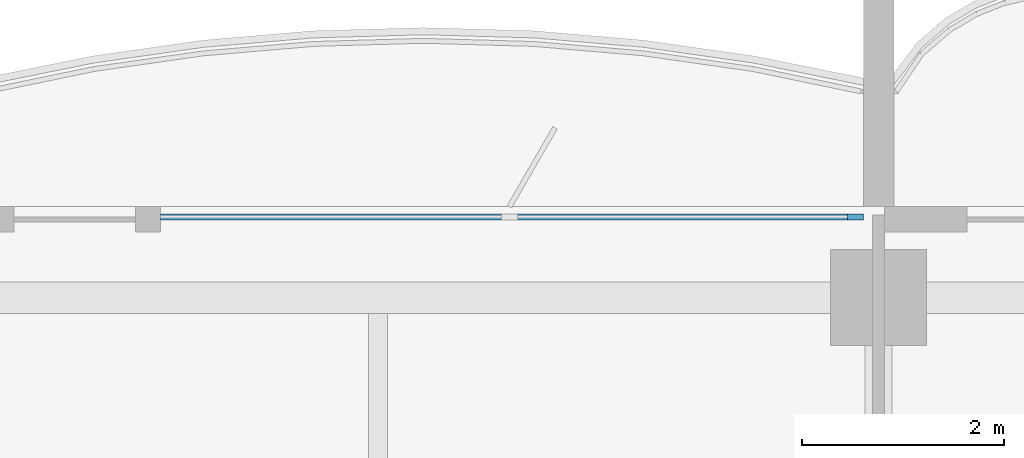
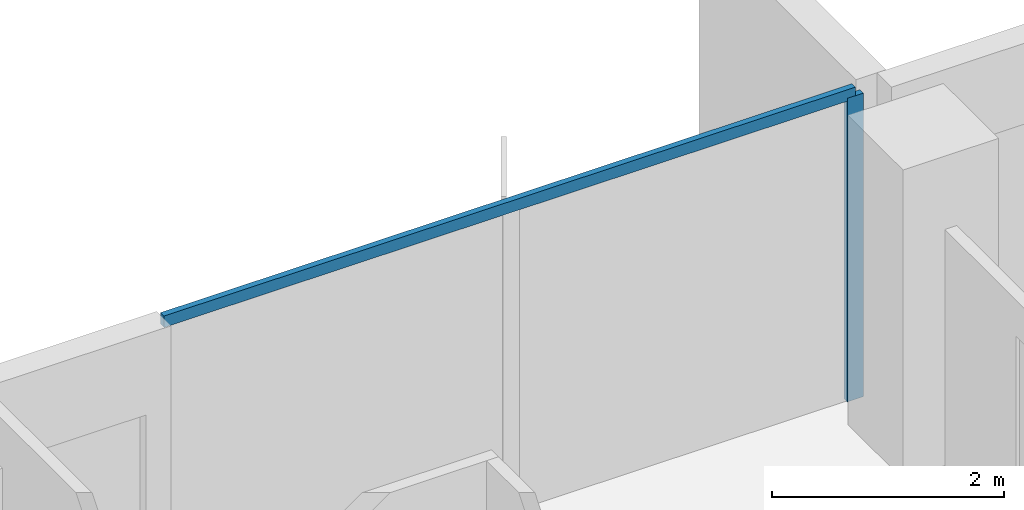
# One storey, part 6 of 18: 2 members, 1 element without a shape of its own.
"""IFC4 building model written with IfcOpenShell, lengths in metres."""

from ifc_helpers import new_model, si_unit, direction, frame, origin, origin_2d, place, context, subcontext, project, spatial, rectangle, extrude, material, material_profile, profile_set, type_object, element, aggregate, save


model = new_model("IFC4")

# Units and contexts
model_context = context("Model", 3, precision=1e-05, world=origin(), true_north=direction((0.0, 1.0)))
body_context = subcontext(model_context, "Body", "Model", "MODEL_VIEW")
ifc_project = project(units=[si_unit("LENGTHUNIT", "METRE"), si_unit("AREAUNIT", "SQUARE_METRE"), si_unit("VOLUMEUNIT", "CUBIC_METRE"), si_unit("PLANEANGLEUNIT", "RADIAN"), si_unit("MASSUNIT", "GRAM", prefix="KILO")], contexts=[model_context])

# Site, building, storey
site_placement = place(None, origin())
site = spatial("IfcSite", under=ifc_project, at=site_placement, CompositionType="ELEMENT")
building_placement = place(site_placement, origin())
building = spatial("IfcBuilding", under=site, at=building_placement, Name="Perihelion Cross Residences", CompositionType="ELEMENT")
storey_placement = place(building_placement, frame((0.0, 0.0, 173.60009765625)))
storey = spatial("IfcBuildingStorey", under=building, at=storey_placement, Name="L42", CompositionType="ELEMENT", Elevation=173.60009765625)

# Curtain wall, members
ifc_material_1 = material(Name="Bronze anodised aluminium, tinted glazing", Category="aluminium")
curtain_wall_type = type_object("IfcCurtainWallType", Name="CW1", PredefinedType="NOTDEFINED", material=ifc_material_1)
curtain_wall_placement = place(storey_placement, origin())
curtain_wall = element("IfcCurtainWall", 1, at=curtain_wall_placement, inside=storey, type_object=curtain_wall_type, Name="Curtain wall CW1 L42 east side north bay 2", PredefinedType="NOTDEFINED")
ifc_material_2 = material(Name="Bronze anodised aluminium", Category="aluminium")
ifc_material_profile_1 = material_profile(ifc_material_2, rectangle(XDim=0.06005859375, YDim=0.159912109375, at=origin_2d()), Name="CW1 mullion")
ifc_profile_set_1 = profile_set([ifc_material_profile_1], Name="Bronze anodised aluminium")
member_type_1 = type_object("IfcMemberType", Name="CW1 mullion", PredefinedType="MULLION", material=ifc_profile_set_1)
member_1_placement = place(storey_placement, frame((17.77001953125, 8.89990234375, 0.0), z_axis=(0.0, 0.0, 1.0), x_axis=(0.0, -1.0, 0.0)))
member_1 = element("IfcMember", 2, at=member_1_placement, type_object=member_type_1, Name="CW1 mullion 1", PredefinedType="MULLION", context=body_context, shape_type="SweptSolid", body=[
    extrude(rectangle(XDim=0.06005859375, YDim=0.159912109375, at=origin_2d()), origin(), (0.0, 0.0, 1.0), 3.18994140625),
])
ifc_material_3 = material(Name="Bronze anodised aluminium", Category="aluminium")
ifc_material_profile_2 = material_profile(ifc_material_3, rectangle(XDim=0.06005859375, YDim=0.1201171875, at=origin_2d()), Name="CW1 transom")
ifc_profile_set_2 = profile_set([ifc_material_profile_2], Name="Bronze anodised aluminium")
member_type_2 = type_object("IfcMemberType", Name="CW1 transom", PredefinedType="USERDEFINED", material=ifc_profile_set_2)
member_2_placement = place(storey_placement, frame((17.77001953125, 8.89990234375, 3.219970703125), z_axis=(-1.0, 0.0, 0.0), x_axis=(0.0, -1.0, 0.0)))
member_2 = element("IfcMember", 3, at=member_2_placement, type_object=member_type_2, Name="CW1 head transom", ObjectType="TRANSOM", PredefinedType="USERDEFINED", context=body_context, shape_type="SweptSolid", body=[
    extrude(rectangle(XDim=0.06005859375, YDim=0.1201171875, at=origin_2d()), origin(), (0.0, 0.0, 1.0), 6.8701171875),
])
aggregate(curtain_wall, [member_1, member_2])

save(model, "model.ifc")
